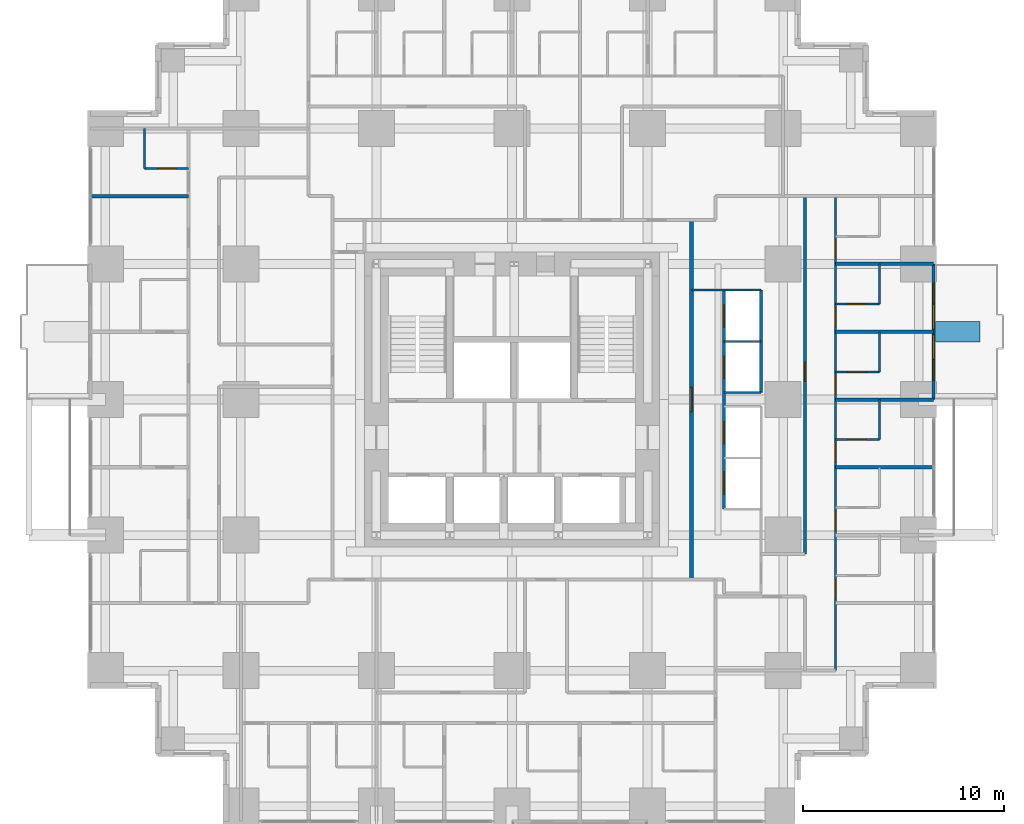
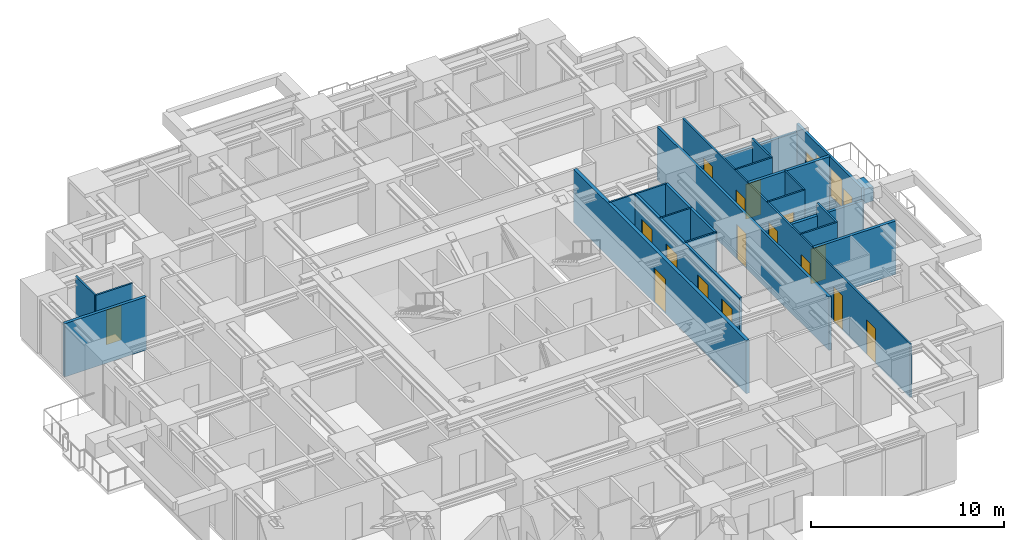
# One storey, part 11 of 14: 23 walls, 18 doors, 2 windows, 20 openings.
"""IFC4 building model written with IfcOpenShell, lengths in metres."""

import ifcopenshell
import ifcopenshell.guid

model = None  # the IFC model being written
_history = None  # IfcOwnerHistory: only IFC2X3 demands one
_inside = {}  # id of a spatial element -> (the spatial element, [elements in it])
_under = {}  # id of a project, library or spatial element -> (it, [spatial elements below it])
_declared = {}  # id of a project -> (the project, [libraries it declares])
_typed = {}  # id of a type object -> (the type object, [elements of that type])
_made_of = {}  # id of a material, layer set ... -> (it, [elements and type objects made of it])


def new_model(schema):
    """Start an empty IFC model of exactly this schema.

    Asked for "IFC4X3", IfcOpenShell would pick the latest addendum, in which some entities
    have other attributes; the version numbers below select the first issue.
    IFC2X3 requires an IfcOwnerHistory on every rooted entity: one is made here for all.
    """
    global model, _history
    if schema == "IFC4X3":
        model = ifcopenshell.file(schema_version=(4, 3, 0, 0))
    else:
        model = ifcopenshell.file(schema=schema)
    _inside.clear()
    _under.clear()
    _declared.clear()
    _typed.clear()
    _made_of.clear()
    _history = None
    if model.schema == "IFC2X3":
        org = make("IfcOrganization", Name="unknown")
        user = make(
            "IfcPersonAndOrganization",
            ThePerson=make("IfcPerson", FamilyName="unknown"),
            TheOrganization=org,
        )
        app = make(
            "IfcApplication",
            ApplicationDeveloper=org,
            Version="unknown",
            ApplicationFullName="unknown",
            ApplicationIdentifier="unknown",
        )
        _history = make(
            "IfcOwnerHistory",
            OwningUser=user,
            OwningApplication=app,
            ChangeAction="ADDED",
            CreationDate=0,
        )
    return model


def make(cls, **values):
    """One entity of the class cls with the attributes given. An attribute that is None is left unset."""
    return model.create_entity(
        cls, **{name: value for name, value in values.items() if value is not None}
    )


def rooted(cls, **values):
    """An entity with a GlobalId (a new one), such as an element, a storey or a relation."""
    return make(cls, GlobalId=ifcopenshell.guid.new(), OwnerHistory=_history, **values)


def si_unit(unit_type, name, prefix=None):
    """IfcSIUnit, for example si_unit("LENGTHUNIT", "METRE", prefix="MILLI")."""
    return make("IfcSIUnit", UnitType=unit_type, Prefix=prefix, Name=name)


def assignment(units):
    """IfcUnitAssignment: the units of a project."""
    return None if units is None else make("IfcUnitAssignment", Units=units)


def point(xyz):
    """IfcCartesianPoint."""
    return None if xyz is None else make("IfcCartesianPoint", Coordinates=xyz)


def direction(xyz):
    """IfcDirection."""
    return None if xyz is None else make("IfcDirection", DirectionRatios=xyz)


def frame(location, z_axis=None, x_axis=None):
    """IfcAxis2Placement3D, a coordinate frame: its origin and axes. An axis left out is left unset."""
    return make(
        "IfcAxis2Placement3D",
        Location=point(location),
        Axis=direction(z_axis),
        RefDirection=direction(x_axis),
    )


def frame_2d(location, x_axis=None):
    """IfcAxis2Placement2D, a coordinate frame in the plane: its origin and x axis."""
    return make(
        "IfcAxis2Placement2D", Location=point(location), RefDirection=direction(x_axis)
    )


def origin():
    """The frame at (0, 0, 0) with its axes left unset."""
    return frame((0.0, 0.0, 0.0))


def place(relative_to, where):
    """IfcLocalPlacement: puts the frame where relative to a parent placement (None: the world)."""
    return make(
        "IfcLocalPlacement", PlacementRelTo=relative_to, RelativePlacement=where
    )


def context(
    kind, dimensions, precision=None, world=None, true_north=None, identifier=None
):
    """IfcGeometricRepresentationContext, for example the 3D "Model" context."""
    return make(
        "IfcGeometricRepresentationContext",
        ContextIdentifier=identifier,
        ContextType=kind,
        CoordinateSpaceDimension=dimensions,
        Precision=precision,
        WorldCoordinateSystem=world,
        TrueNorth=true_north,
    )


def subcontext(parent, identifier, kind, view, scale=None):
    """IfcGeometricRepresentationSubContext, for example "Body" below "Model"."""
    return make(
        "IfcGeometricRepresentationSubContext",
        ContextIdentifier=identifier,
        ContextType=kind,
        ParentContext=parent,
        TargetScale=scale,
        TargetView=view,
    )


def project(units=None, contexts=None):
    """IfcProject with its units and contexts."""
    return rooted(
        "IfcProject",
        Name="project",
        RepresentationContexts=contexts,
        UnitsInContext=assignment(units),
    )


def spatial(cls, under=None, at=None, **own):
    """A site, building, storey or space (cls), placed at a placement, below another one or the project."""
    s = rooted(cls, ObjectPlacement=at, **own)
    if under is not None:
        _under.setdefault(under.id(), (under, []))[1].append(s)
    return s


def profile(cls, at=None, kind="AREA", **sizes):
    """A parametric profile (cls). Its sizes go by their IFC names, for example OverallWidth=200.0."""
    return make(cls, ProfileType=kind, Position=at, **sizes)


def rectangle(**sizes):
    """IfcRectangleProfileDef."""
    return profile("IfcRectangleProfileDef", **sizes)


def extrude(swept, where, along, depth):
    """IfcExtrudedAreaSolid: the profile swept, set in the frame where, extruded along a direction by depth."""
    return make(
        "IfcExtrudedAreaSolid",
        SweptArea=swept,
        Position=where,
        ExtrudedDirection=direction(along),
        Depth=depth,
    )


def shape(context_of_items, identifier, shape_type, items):
    """IfcShapeRepresentation: the items that make up one representation, for example the "Body"."""
    return make(
        "IfcShapeRepresentation",
        ContextOfItems=context_of_items,
        RepresentationIdentifier=identifier,
        RepresentationType=shape_type,
        Items=items,
    )


def material(Name=None, Category=None):
    """IfcMaterial."""
    return make("IfcMaterial", Name=Name, Category=Category)


def layer(
    of_material, thickness, ventilated=None, Name=None, Category=None, Priority=None
):
    """IfcMaterialLayer: one layer of a wall or slab, of a material (None: an air gap)."""
    return make(
        "IfcMaterialLayer",
        Material=of_material,
        LayerThickness=thickness,
        IsVentilated=ventilated,
        Name=Name,
        Category=Category,
        Priority=Priority,
    )


def layer_set(layers, Name=None):
    """IfcMaterialLayerSet."""
    return make("IfcMaterialLayerSet", MaterialLayers=layers, LayerSetName=Name)


def made_of(thing, what):
    """Note that an element or type object is made of a material, layer set ...; save() writes the relation."""
    if what is not None:
        _made_of.setdefault(what.id(), (what, []))[1].append(thing)
    return thing


def type_object(cls, material=None, **own):
    """A type object (cls), such as IfcWallType, which elements share."""
    return made_of(rooted(cls, **own), material)


def element(
    cls,
    number,
    at=None,
    inside=None,
    cuts=None,
    type_object=None,
    material=None,
    context=None,
    identifier="Body",
    shape_type=None,
    held_by="IfcProductDefinitionShape",
    body=None,
    shapes=None,
    **own,
):
    """One element of the class cls, such as IfcWall. Its Tag is "e" and its number.

    at: its placement. inside: the storey or other place that contains it. cuts: it is an
    opening in that element (IfcRelVoidsElement). A single representation is given by context,
    identifier, shape_type and body (its items); several are given by shapes. held_by: the class
    of the entity that holds the representations. save() writes the other relations.
    """
    e = rooted(cls, Tag="e%d" % number, ObjectPlacement=at, **own)
    if body is not None:
        shapes = [shape(context, identifier, shape_type, body)]
    if shapes is not None:
        e.Representation = make(held_by, Representations=shapes)
    if inside is not None:
        _inside.setdefault(inside.id(), (inside, []))[1].append(e)
    if cuts is not None:
        rooted(
            "IfcRelVoidsElement", RelatingBuildingElement=cuts, RelatedOpeningElement=e
        )
    if type_object is not None:
        _typed.setdefault(type_object.id(), (type_object, []))[1].append(e)
    return made_of(e, material)


def fill(opening, filler):
    """IfcRelFillsElement: the door or window that sits in an opening."""
    return rooted(
        "IfcRelFillsElement",
        RelatingOpeningElement=opening,
        RelatedBuildingElement=filler,
    )


def aggregate(whole, parts):
    """IfcRelAggregates: a whole, such as a stair, and the parts it consists of."""
    return rooted("IfcRelAggregates", RelatingObject=whole, RelatedObjects=parts)


def save(model, path):
    """Write the relations noted so far, then the file.

    IfcRelAggregates (storeys below a building ...), IfcRelContainedInSpatialStructure (elements
    in a storey), IfcRelDefinesByType, IfcRelAssociatesMaterial and IfcRelDeclares: one each for
    every whole, place, type object, material and project.
    """
    for whole, parts in _under.values():
        aggregate(whole, parts)
    for where, things in _inside.values():
        rooted(
            "IfcRelContainedInSpatialStructure",
            RelatedElements=things,
            RelatingStructure=where,
        )
    for kind, things in _typed.values():
        rooted("IfcRelDefinesByType", RelatedObjects=things, RelatingType=kind)
    for what, things in _made_of.values():
        rooted("IfcRelAssociatesMaterial", RelatedObjects=things, RelatingMaterial=what)
    for by, libraries in _declared.values():
        rooted("IfcRelDeclares", RelatingContext=by, RelatedDefinitions=libraries)
    model.write(path)


model = new_model("IFC4")

# Units and contexts
model_context = context("Model", 3, precision=1e-05, world=origin(), true_north=direction((0.0, 1.0)))
body_context = subcontext(model_context, "Body", "Model", "MODEL_VIEW")
ifc_project = project(units=[si_unit("LENGTHUNIT", "METRE"), si_unit("AREAUNIT", "SQUARE_METRE"), si_unit("VOLUMEUNIT", "CUBIC_METRE"), si_unit("PLANEANGLEUNIT", "RADIAN"), si_unit("MASSUNIT", "GRAM", prefix="KILO")], contexts=[model_context])

# Site, building, storey
site_placement = place(None, origin())
site = spatial("IfcSite", under=ifc_project, at=site_placement, CompositionType="ELEMENT")
building_placement = place(site_placement, origin())
building = spatial("IfcBuilding", under=site, at=building_placement, Name="Nyansa Garden Tower", CompositionType="ELEMENT")
storey_placement = place(building_placement, frame((0.0, 0.0, 50.39990234375)))
storey = spatial("IfcBuildingStorey", under=building, at=storey_placement, Name="L13", CompositionType="ELEMENT", Elevation=50.39990234375)

# Walls
ifc_material_1 = material(Name="Dense blockwork, plastered both sides, 55 dB", Category="masonry")
ifc_layer_1 = layer(ifc_material_1, 0.175048828125)
ifc_layer_set_1 = layer_set([ifc_layer_1], Name="Acoustic party wall PW175")
wall_type_1 = type_object("IfcWallType", Name="Acoustic party wall PW175", PredefinedType="PARTITIONING", material=ifc_layer_set_1)
for number, where, z_axis, x_axis, name in (
    (1, (-0.73388671875, 30.375, 0.0), (0.0, 0.0, 1.0), (1.0, 0.0, 0.0), "Party wall"),
    (2, (36.35009765625, 16.875, 0.0), (0.0, 0.0, 1.0), (1.0, 0.0, 0.0), "Party wall"),
):
    element("IfcWall", number, at=place(storey_placement, frame(where, z_axis=z_axis, x_axis=x_axis)), inside=storey, type_object=wall_type_1, Name=name, PredefinedType="PARTITIONING", context=body_context, shape_type="SweptSolid", body=[
        extrude(rectangle(XDim=4.8837890625, YDim=0.175048828125, at=frame_2d((2.44189453125, 0.0))), origin(), (0.0, 0.0, 1.0), 3.375),
    ])
wall_1_placement = place(storey_placement, frame((36.35009765625, 20.25, 0.0), z_axis=(0.0, 0.0, 1.0), x_axis=(1.0, 0.0, 0.0)))
element("IfcWall", 3, at=wall_1_placement, inside=storey, type_object=wall_type_1, Name="Party wall", PredefinedType="PARTITIONING", context=body_context, shape_type="SweptSolid", body=[
    extrude(rectangle(XDim=4.8837890625, YDim=0.175048828125, at=frame_2d((2.44189453125, 0.0))), origin(), (0.0, 0.0, 1.0), 2.610107421875),
])
wall_2_placement = place(storey_placement, frame((36.35009765625, 23.625, 0.0), z_axis=(0.0, 0.0, 1.0), x_axis=(1.0, 0.0, 0.0)))
element("IfcWall", 4, at=wall_2_placement, inside=storey, type_object=wall_type_1, Name="Party wall", PredefinedType="PARTITIONING", context=body_context, shape_type="SweptSolid", body=[
    extrude(rectangle(XDim=4.8837890625, YDim=0.175048828125, at=frame_2d((2.44189453125, 0.0))), origin(), (0.0, 0.0, 1.0), 3.375),
])
wall_3_placement = place(storey_placement, frame((36.35009765625, 27.0, 0.0), z_axis=(0.0, 0.0, 1.0), x_axis=(1.0, 0.0, 0.0)))
element("IfcWall", 5, at=wall_3_placement, inside=storey, type_object=wall_type_1, Name="Party wall", PredefinedType="PARTITIONING", context=body_context, shape_type="SweptSolid", body=[
    extrude(rectangle(XDim=4.8837890625, YDim=0.175048828125, at=frame_2d((2.44189453125, 0.0))), origin(), (0.0, 0.0, 1.0), 2.877197265625),
])

# Wall, openings, doors, windows
ifc_material_2 = material(Name="Black aluminium framed glazed screen", Category="aluminium")
ifc_layer_2 = layer(ifc_material_2, 0.14990234375)
ifc_layer_set_2 = layer_set([ifc_layer_2], Name="Balcony screen wall BW150")
wall_type_2 = type_object("IfcWallType", Name="Balcony screen wall BW150", PredefinedType="SOLIDWALL", material=ifc_layer_set_2)
wall_4_placement = place(storey_placement, frame((41.25, 27.0, 0.0), z_axis=(0.0, 0.0, 1.0), x_axis=(0.0, -1.0, 0.0)))
wall_4 = element("IfcWall", 6, at=wall_4_placement, inside=storey, type_object=wall_type_2, Name="Glazed screen wall L13 E", PredefinedType="SOLIDWALL", context=body_context, shape_type="SweptSolid", body=[
    extrude(rectangle(XDim=6.75, YDim=0.14990234375, at=frame_2d((3.375, 0.0))), origin(), (0.0, 0.0, 1.0), 3.375),
])
opening_1_placement = place(wall_4_placement, frame((0.96240234375, 0.0, 0.0)))
opening_1 = element("IfcOpeningElement", 7, at=opening_1_placement, cuts=wall_4, Name="Opening D20", PredefinedType="OPENING", context=body_context, shape_type="SweptSolid", body=[
    extrude(rectangle(XDim=1.0, YDim=2.199951171875, at=frame_2d((0.5, 1.10009765625))), frame((0.0, 0.0849609375, 0.0), z_axis=(0.0, -1.0, 0.0), x_axis=(1.0, 0.0, 0.0)), (0.0, 0.0, 1.0), 0.169921875),
])
opening_2_placement = place(wall_4_placement, frame((2.02490234375, 0.0, 0.89990234375)))
opening_2 = element("IfcOpeningElement", 8, at=opening_2_placement, cuts=wall_4, Name="Opening W6", PredefinedType="OPENING", context=body_context, shape_type="SweptSolid", body=[
    extrude(rectangle(XDim=1.199951171875, YDim=1.800048828125, at=frame_2d((0.60009765625, 0.89990234375))), frame((0.0, 0.0849609375, 0.0), z_axis=(0.0, -1.0, 0.0), x_axis=(1.0, 0.0, 0.0)), (0.0, 0.0, 1.0), 0.169921875),
])
opening_3_placement = place(wall_4_placement, frame((4.78759765625, 0.0, 0.0)))
opening_3 = element("IfcOpeningElement", 9, at=opening_3_placement, cuts=wall_4, Name="Opening D20", PredefinedType="OPENING", context=body_context, shape_type="SweptSolid", body=[
    extrude(rectangle(XDim=1.0, YDim=2.199951171875, at=frame_2d((0.5, 1.10009765625))), frame((0.0, 0.0849609375, 0.0), z_axis=(0.0, -1.0, 0.0), x_axis=(1.0, 0.0, 0.0)), (0.0, 0.0, 1.0), 0.169921875),
])
opening_4_placement = place(wall_4_placement, frame((3.52490234375, 0.0, 0.89990234375)))
opening_4 = element("IfcOpeningElement", 10, at=opening_4_placement, cuts=wall_4, Name="Opening W6", PredefinedType="OPENING", context=body_context, shape_type="SweptSolid", body=[
    extrude(rectangle(XDim=1.199951171875, YDim=1.800048828125, at=frame_2d((0.60009765625, 0.89990234375))), frame((0.0, 0.0849609375, 0.0), z_axis=(0.0, -1.0, 0.0), x_axis=(1.0, 0.0, 0.0)), (0.0, 0.0, 1.0), 0.169921875),
])
ifc_material_3 = material(Name="Black aluminium framed glazed door", Category="aluminium")
door_type_1 = type_object("IfcDoorType", Name="Balcony door D20 1000x2200", OperationType="NOTDEFINED", PredefinedType="DOOR", material=ifc_material_3)
door_1_placement = place(opening_1_placement, origin())
door_1 = element("IfcDoor", 11, at=door_1_placement, inside=storey, type_object=door_type_1, Name="Balcony door L13", OperationType="SINGLE_SWING_LEFT", OverallHeight=2.199951171875, OverallWidth=1.0, PredefinedType="DOOR", context=body_context, shape_type="SweptSolid", body=[
    extrude(rectangle(XDim=1.0, YDim=2.199951171875, at=frame_2d((0.5, 1.10009765625))), frame((0.0, 0.02490234375, 0.0), z_axis=(0.0, -1.0, 0.0), x_axis=(1.0, 0.0, 0.0)), (0.0, 0.0, 1.0), 0.050048828125),
])
fill(opening_1, door_1)
door_2_placement = place(opening_3_placement, origin())
door_2 = element("IfcDoor", 12, at=door_2_placement, inside=storey, type_object=door_type_1, Name="Balcony door L13", OperationType="SINGLE_SWING_RIGHT", OverallHeight=2.199951171875, OverallWidth=1.0, PredefinedType="DOOR", context=body_context, shape_type="SweptSolid", body=[
    extrude(rectangle(XDim=1.0, YDim=2.199951171875, at=frame_2d((0.5, 1.10009765625))), frame((0.0, 0.02490234375, 0.0), z_axis=(0.0, -1.0, 0.0), x_axis=(1.0, 0.0, 0.0)), (0.0, 0.0, 1.0), 0.050048828125),
])
fill(opening_3, door_2)
ifc_material_4 = material(Name="Black aluminium frame, dark tinted double glazing", Category="aluminium")
window_type = type_object("IfcWindowType", Name="Balcony window W6 1200x1800", PartitioningType="SINGLE_PANEL", PredefinedType="WINDOW", material=ifc_material_4)
window_1_placement = place(opening_2_placement, origin())
window_1 = element("IfcWindow", 13, at=window_1_placement, inside=storey, type_object=window_type, Name="Window L13", OverallHeight=1.800048828125, OverallWidth=1.199951171875, PartitioningType="SINGLE_PANEL", PredefinedType="WINDOW", context=body_context, shape_type="SweptSolid", body=[
    extrude(rectangle(XDim=1.199951171875, YDim=1.800048828125, at=frame_2d((0.60009765625, 0.89990234375))), frame((0.0, 0.030029296875, 0.0), z_axis=(0.0, -1.0, 0.0), x_axis=(1.0, 0.0, 0.0)), (0.0, 0.0, 1.0), 0.06005859375),
])
fill(opening_2, window_1)
window_2_placement = place(opening_4_placement, origin())
window_2 = element("IfcWindow", 14, at=window_2_placement, inside=storey, type_object=window_type, Name="Window L13", OverallHeight=1.800048828125, OverallWidth=1.199951171875, PartitioningType="SINGLE_PANEL", PredefinedType="WINDOW", context=body_context, shape_type="SweptSolid", body=[
    extrude(rectangle(XDim=1.199951171875, YDim=1.800048828125, at=frame_2d((0.60009765625, 0.89990234375))), frame((0.0, 0.030029296875, 0.0), z_axis=(0.0, -1.0, 0.0), x_axis=(1.0, 0.0, 0.0)), (0.0, 0.0, 1.0), 0.06005859375),
])
fill(opening_4, window_2)

# Wall, opening, door
ifc_material_5 = material(Name="Concrete blockwork, plastered, 60 minute fire resisting", Category="masonry")
ifc_layer_3 = layer(ifc_material_5, 0.199951171875)
ifc_layer_set_3 = layer_set([ifc_layer_3], Name="Corridor wall FW200")
wall_type_3 = type_object("IfcWallType", Name="Corridor wall FW200", PredefinedType="PARTITIONING", material=ifc_layer_set_3)
wall_5_placement = place(storey_placement, frame((29.199951171875, 11.300048828125, 0.0), z_axis=(0.0, 0.0, 1.0), x_axis=(0.0, 1.0, 0.0)))
wall_5 = element("IfcWall", 15, at=wall_5_placement, inside=storey, type_object=wall_type_3, Name="Corridor wall", PredefinedType="PARTITIONING", context=body_context, shape_type="SweptSolid", body=[
    extrude(rectangle(XDim=17.89990234375, YDim=0.199951171875, at=frame_2d((8.949951171875, 0.0))), origin(), (0.0, 0.0, 1.0), 3.375),
])
opening_5_placement = place(wall_5_placement, frame((8.35009765625, 0.0, 0.0)))
opening_5 = element("IfcOpeningElement", 16, at=opening_5_placement, cuts=wall_5, Name="Opening D06", PredefinedType="OPENING", context=body_context, shape_type="SweptSolid", body=[
    extrude(rectangle(XDim=1.199951171875, YDim=2.199951171875, at=frame_2d((0.60009765625, 1.10009765625))), frame((0.0, 0.10986328125, 0.0), z_axis=(0.0, -1.0, 0.0), x_axis=(1.0, 0.0, 0.0)), (0.0, 0.0, 1.0), 0.219970703125),
])
ifc_material_6 = material(Name="Steel door, 120 minute fire resisting", Category="steel")
door_type_2 = type_object("IfcDoorType", Name="Lobby door D06 1200x2200", OperationType="DOUBLE_DOOR_SINGLE_SWING", PredefinedType="DOOR", material=ifc_material_6)
door_3_placement = place(opening_5_placement, origin())
door_3 = element("IfcDoor", 17, at=door_3_placement, inside=storey, type_object=door_type_2, Name="Low-rise lift lobby door", OperationType="DOUBLE_DOOR_SINGLE_SWING", OverallHeight=2.199951171875, OverallWidth=1.199951171875, PredefinedType="DOOR", context=body_context, shape_type="SweptSolid", body=[
    extrude(rectangle(XDim=1.199951171875, YDim=2.199951171875, at=frame_2d((0.60009765625, 1.10009765625))), frame((0.0, 0.02490234375, 0.0), z_axis=(0.0, -1.0, 0.0), x_axis=(1.0, 0.0, 0.0)), (0.0, 0.0, 1.0), 0.050048828125),
])
fill(opening_5, door_3)

# Walls
ifc_material_7 = material(Name="Steel-stud shaft wall, two layers fire-rated board, EI 120", Category="steel")
ifc_layer_4 = layer(ifc_material_7, 0.10009765625)
ifc_layer_set_4 = layer_set([ifc_layer_4], Name="Lift shaft wall SW100")
wall_type_4 = type_object("IfcWallType", Name="Lift shaft wall SW100", PredefinedType="SHEAR", material=ifc_layer_set_4)
wall_6_placement = place(storey_placement, frame((29.199951171875, 25.699951171875, 0.0), z_axis=(0.0, 0.0, 1.0), x_axis=(1.0, 0.0, 0.0)))
element("IfcWall", 18, at=wall_6_placement, inside=storey, type_object=wall_type_4, Name="Lift shaft wall", PredefinedType="SHEAR", context=body_context, shape_type="SweptSolid", body=[
    extrude(rectangle(XDim=3.449951171875, YDim=0.10009765625, at=frame_2d((1.72509765625, 0.0))), origin(), (0.0, 0.0, 1.0), 3.375),
])
for number, where, z_axis, x_axis, name in (
    (19, (30.800048828125, 20.60009765625, 0.0), (0.0, 0.0, 1.0), (1.0, 0.0, 0.0), "Lift shaft wall"),
    (20, (30.800048828125, 23.14990234375, 0.0), (0.0, 0.0, 1.0), (1.0, 0.0, 0.0), "Lift shaft wall"),
):
    element("IfcWall", number, at=place(storey_placement, frame(where, z_axis=z_axis, x_axis=x_axis)), inside=storey, type_object=wall_type_4, Name=name, PredefinedType="SHEAR", context=body_context, shape_type="SweptSolid", body=[
        extrude(rectangle(XDim=1.849853515625, YDim=0.10009765625, at=frame_2d((0.9248046875, 0.0))), origin(), (0.0, 0.0, 1.0), 3.375),
    ])

# Wall, openings, doors
ifc_material_8 = material(Name="Blockwork, plastered both sides", Category="masonry")
ifc_layer_5 = layer(ifc_material_8, 0.14990234375)
ifc_layer_set_5 = layer_set([ifc_layer_5], Name="Partition PW150")
wall_type_5 = type_object("IfcWallType", Name="Partition PW150", PredefinedType="PARTITIONING", material=ifc_layer_set_5)
wall_7_placement = place(storey_placement, frame((30.800048828125, 14.800048828125, 0.0), z_axis=(0.0, 0.0, 1.0), x_axis=(0.0, 1.0, 0.0)))
wall_7 = element("IfcWall", 21, at=wall_7_placement, inside=storey, type_object=wall_type_5, Name="Partition", PredefinedType="PARTITIONING", context=body_context, shape_type="SweptSolid", body=[
    extrude(rectangle(XDim=10.89990234375, YDim=0.14990234375, at=frame_2d((5.449951171875, 0.0))), origin(), (0.0, 0.0, 1.0), 3.375),
])
opening_6_placement = place(wall_7_placement, frame((0.75, 0.0, 0.0)))
opening_6 = element("IfcOpeningElement", 22, at=opening_6_placement, cuts=wall_7, Name="Opening LD-A", PredefinedType="OPENING", context=body_context, shape_type="SweptSolid", body=[
    extrude(rectangle(XDim=1.10009765625, YDim=2.199951171875, at=frame_2d((0.550048828125, 1.10009765625))), frame((0.0, 0.0849609375, 0.0), z_axis=(0.0, -1.0, 0.0), x_axis=(1.0, 0.0, 0.0)), (0.0, 0.0, 1.0), 0.169921875),
])
opening_7_placement = place(wall_7_placement, frame((3.25, 0.0, 0.0)))
opening_7 = element("IfcOpeningElement", 23, at=opening_7_placement, cuts=wall_7, Name="Opening LD-A", PredefinedType="OPENING", context=body_context, shape_type="SweptSolid", body=[
    extrude(rectangle(XDim=1.10009765625, YDim=2.199951171875, at=frame_2d((0.550048828125, 1.10009765625))), frame((0.0, 0.0849609375, 0.0), z_axis=(0.0, -1.0, 0.0), x_axis=(1.0, 0.0, 0.0)), (0.0, 0.0, 1.0), 0.169921875),
])
opening_8_placement = place(wall_7_placement, frame((6.5, 0.0, 0.0)))
opening_8 = element("IfcOpeningElement", 24, at=opening_8_placement, cuts=wall_7, Name="Opening LD-A", PredefinedType="OPENING", context=body_context, shape_type="SweptSolid", body=[
    extrude(rectangle(XDim=1.10009765625, YDim=2.199951171875, at=frame_2d((0.550048828125, 1.10009765625))), frame((0.0, 0.0849609375, 0.0), z_axis=(0.0, -1.0, 0.0), x_axis=(1.0, 0.0, 0.0)), (0.0, 0.0, 1.0), 0.169921875),
])
opening_9_placement = place(wall_7_placement, frame((9.050048828125, 0.0, 0.0)))
opening_9 = element("IfcOpeningElement", 25, at=opening_9_placement, cuts=wall_7, Name="Opening LD-A", PredefinedType="OPENING", context=body_context, shape_type="SweptSolid", body=[
    extrude(rectangle(XDim=1.10009765625, YDim=2.199951171875, at=frame_2d((0.550048828125, 1.10009765625))), frame((0.0, 0.0849609375, 0.0), z_axis=(0.0, -1.0, 0.0), x_axis=(1.0, 0.0, 0.0)), (0.0, 0.0, 1.0), 0.169921875),
])
ifc_material_9 = material(Name="Stainless steel centre-opening landing door of the low-rise lift, E 120", Category="steel")
door_type_3 = type_object("IfcDoorType", Name="Lift landing door LD-A 1100x2200", OperationType="DOUBLE_DOOR_SLIDING", PredefinedType="DOOR", material=ifc_material_9)
door_4_placement = place(opening_6_placement, origin())
door_4 = element("IfcDoor", 26, at=door_4_placement, inside=storey, type_object=door_type_3, Name="Landing door A1", OperationType="DOUBLE_DOOR_SLIDING", OverallHeight=2.199951171875, OverallWidth=1.10009765625, PredefinedType="DOOR", context=body_context, shape_type="SweptSolid", body=[
    extrude(rectangle(XDim=1.10009765625, YDim=2.199951171875, at=frame_2d((0.550048828125, 1.10009765625))), frame((0.0, 0.02490234375, 0.0), z_axis=(0.0, -1.0, 0.0), x_axis=(1.0, 0.0, 0.0)), (0.0, 0.0, 1.0), 0.050048828125),
])
fill(opening_6, door_4)
door_5_placement = place(opening_7_placement, origin())
door_5 = element("IfcDoor", 27, at=door_5_placement, inside=storey, type_object=door_type_3, Name="Landing door A2", OperationType="DOUBLE_DOOR_SLIDING", OverallHeight=2.199951171875, OverallWidth=1.10009765625, PredefinedType="DOOR", context=body_context, shape_type="SweptSolid", body=[
    extrude(rectangle(XDim=1.10009765625, YDim=2.199951171875, at=frame_2d((0.550048828125, 1.10009765625))), frame((0.0, 0.02490234375, 0.0), z_axis=(0.0, -1.0, 0.0), x_axis=(1.0, 0.0, 0.0)), (0.0, 0.0, 1.0), 0.050048828125),
])
fill(opening_7, door_5)
door_6_placement = place(opening_8_placement, origin())
door_6 = element("IfcDoor", 28, at=door_6_placement, inside=storey, type_object=door_type_3, Name="Landing door A3", OperationType="DOUBLE_DOOR_SLIDING", OverallHeight=2.199951171875, OverallWidth=1.10009765625, PredefinedType="DOOR", context=body_context, shape_type="SweptSolid", body=[
    extrude(rectangle(XDim=1.10009765625, YDim=2.199951171875, at=frame_2d((0.550048828125, 1.10009765625))), frame((0.0, 0.02490234375, 0.0), z_axis=(0.0, -1.0, 0.0), x_axis=(1.0, 0.0, 0.0)), (0.0, 0.0, 1.0), 0.050048828125),
])
fill(opening_8, door_6)
door_7_placement = place(opening_9_placement, origin())
door_7 = element("IfcDoor", 29, at=door_7_placement, inside=storey, type_object=door_type_3, Name="Landing door A4", OperationType="DOUBLE_DOOR_SLIDING", OverallHeight=2.199951171875, OverallWidth=1.10009765625, PredefinedType="DOOR", context=body_context, shape_type="SweptSolid", body=[
    extrude(rectangle(XDim=1.10009765625, YDim=2.199951171875, at=frame_2d((0.550048828125, 1.10009765625))), frame((0.0, 0.02490234375, 0.0), z_axis=(0.0, -1.0, 0.0), x_axis=(1.0, 0.0, 0.0)), (0.0, 0.0, 1.0), 0.050048828125),
])
fill(opening_9, door_7)

# Wall
wall_8_placement = place(storey_placement, frame((32.64990234375, 20.60009765625, 0.0), z_axis=(0.0, 0.0, 1.0), x_axis=(0.0, 1.0, 0.0)))
element("IfcWall", 30, at=wall_8_placement, inside=storey, type_object=wall_type_5, Name="Partition", PredefinedType="PARTITIONING", context=body_context, shape_type="SweptSolid", body=[
    extrude(rectangle(XDim=5.099853515625, YDim=0.14990234375, at=frame_2d((2.5498046875, 0.0))), origin(), (0.0, 0.0, 1.0), 3.375),
])

# Wall, opening, door
wall_9_placement = place(storey_placement, frame((34.85009765625, 12.550048828125, 0.0), z_axis=(0.0, 0.0, 1.0), x_axis=(0.0, 1.0, 0.0)))
wall_9 = element("IfcWall", 31, at=wall_9_placement, inside=storey, type_object=wall_type_5, Name="Partition", PredefinedType="PARTITIONING", context=body_context, shape_type="SweptSolid", body=[
    extrude(rectangle(XDim=17.824951171875, YDim=0.14990234375, at=frame_2d((8.91259765625, 0.0))), origin(), (0.0, 0.0, 1.0), 3.375),
])
opening_10_placement = place(wall_9_placement, frame((8.60009765625, 0.0, 0.0)))
opening_10 = element("IfcOpeningElement", 32, at=opening_10_placement, cuts=wall_9, Name="Opening D01", PredefinedType="OPENING", context=body_context, shape_type="SweptSolid", body=[
    extrude(rectangle(XDim=0.949951171875, YDim=2.199951171875, at=frame_2d((0.47509765625, 1.10009765625))), frame((0.0, 0.0849609375, 0.0), z_axis=(0.0, -1.0, 0.0), x_axis=(1.0, 0.0, 0.0)), (0.0, 0.0, 1.0), 0.169921875),
])
ifc_material_10 = material(Name="Timber flush door, 30 minute fire resisting", Category="wood")
door_type_4 = type_object("IfcDoorType", Name="Bedroom door D01 950x2200", OperationType="SINGLE_SWING_LEFT", PredefinedType="DOOR", material=ifc_material_10)
door_8_placement = place(opening_10_placement, origin())
door_8 = element("IfcDoor", 33, at=door_8_placement, inside=storey, type_object=door_type_4, Name="Door L13-047", OperationType="SINGLE_SWING_LEFT", OverallHeight=2.199951171875, OverallWidth=0.949951171875, PredefinedType="DOOR", context=body_context, shape_type="SweptSolid", body=[
    extrude(rectangle(XDim=0.949951171875, YDim=2.199951171875, at=frame_2d((0.47509765625, 1.10009765625))), frame((0.0, 0.02490234375, 0.0), z_axis=(0.0, -1.0, 0.0), x_axis=(1.0, 0.0, 0.0)), (0.0, 0.0, 1.0), 0.050048828125),
])
fill(opening_10, door_8)

# Walls
ifc_material_11 = material(Name="Concrete C40/50 planter, waterproofed", Category="concrete")
ifc_layer_6 = layer(ifc_material_11, 1.0)
ifc_layer_set_6 = layer_set([ifc_layer_6], Name="Tree planter TP1")
wall_type_6 = type_object("IfcWallType", Name="Tree planter TP1", PredefinedType="USERDEFINED", material=ifc_layer_set_6)
wall_10_placement = place(storey_placement, frame((41.35009765625, 23.625, 0.0), z_axis=(0.0, 0.0, 1.0), x_axis=(1.0, 0.0, 0.0)))
element("IfcWall", 34, at=wall_10_placement, inside=storey, type_object=wall_type_6, Name="Tree planter L13", ObjectType="TREE PLANTER", PredefinedType="USERDEFINED", context=body_context, shape_type="SweptSolid", body=[
    extrude(rectangle(XDim=2.199951171875, YDim=1.0, at=frame_2d((1.10009765625, 0.0))), origin(), (0.0, 0.0, 1.0), 0.900146484375),
])
ifc_material_12 = material(Name="Moisture resistant board on steel studs, tiled", Category="steel")
ifc_layer_7 = layer(ifc_material_12, 0.10009765625)
ifc_layer_set_7 = layer_set([ifc_layer_7], Name="Wet wall PW100")
wall_type_7 = type_object("IfcWallType", Name="Wet wall PW100", PredefinedType="PARTITIONING", material=ifc_layer_set_7)
wall_11_placement = place(storey_placement, frame((1.949951171875, 31.75, 0.0), z_axis=(0.0, 0.0, 1.0), x_axis=(0.0, 1.0, 0.0)))
element("IfcWall", 35, at=wall_11_placement, inside=storey, type_object=wall_type_7, Name="Wet wall", PredefinedType="PARTITIONING", context=body_context, shape_type="SweptSolid", body=[
    extrude(rectangle(XDim=2.0, YDim=0.10009765625, at=frame_2d((1.0, 0.0))), origin(), (0.0, 0.0, 1.0), 3.375),
])

# Wall, opening, door
wall_12_placement = place(storey_placement, frame((1.949951171875, 31.75, 0.0), z_axis=(0.0, 0.0, 1.0), x_axis=(1.0, 0.0, 0.0)))
wall_12 = element("IfcWall", 36, at=wall_12_placement, inside=storey, type_object=wall_type_7, Name="Wet wall", PredefinedType="PARTITIONING", context=body_context, shape_type="SweptSolid", body=[
    extrude(rectangle(XDim=2.199951171875, YDim=0.10009765625, at=frame_2d((1.10009765625, 0.0))), origin(), (0.0, 0.0, 1.0), 3.375),
])
opening_11_placement = place(wall_12_placement, frame((0.64990234375, 0.0, 0.0)))
opening_11 = element("IfcOpeningElement", 37, at=opening_11_placement, cuts=wall_12, Name="Opening D02", PredefinedType="OPENING", context=body_context, shape_type="SweptSolid", body=[
    extrude(rectangle(XDim=0.89990234375, YDim=2.199951171875, at=frame_2d((0.449951171875, 1.10009765625))), frame((0.0, 0.06005859375, 0.0), z_axis=(0.0, -1.0, 0.0), x_axis=(1.0, 0.0, 0.0)), (0.0, 0.0, 1.0), 0.1201171875),
])
ifc_material_13 = material(Name="Timber flush door", Category="wood")
door_type_5 = type_object("IfcDoorType", Name="En-suite door D02 900x2200", OperationType="SINGLE_SWING_RIGHT", PredefinedType="DOOR", material=ifc_material_13)
door_9_placement = place(opening_11_placement, origin())
door_9 = element("IfcDoor", 38, at=door_9_placement, inside=storey, type_object=door_type_5, Name="Door L13-074", OperationType="SINGLE_SWING_RIGHT", OverallHeight=2.199951171875, OverallWidth=0.89990234375, PredefinedType="DOOR", context=body_context, shape_type="SweptSolid", body=[
    extrude(rectangle(XDim=0.89990234375, YDim=2.199951171875, at=frame_2d((0.449951171875, 1.10009765625))), frame((0.0, 0.02490234375, 0.0), z_axis=(0.0, -1.0, 0.0), x_axis=(1.0, 0.0, 0.0)), (0.0, 0.0, 1.0), 0.050048828125),
])
fill(opening_11, door_9)

# Wall, openings, doors
wall_13_placement = place(storey_placement, frame((36.35009765625, 6.75, 0.0), z_axis=(0.0, 0.0, 1.0), x_axis=(0.0, 1.0, 0.0)))
wall_13 = element("IfcWall", 39, at=wall_13_placement, inside=storey, type_object=wall_type_7, Name="Wet wall", PredefinedType="PARTITIONING", context=body_context, shape_type="SweptSolid", body=[
    extrude(rectangle(XDim=23.625, YDim=0.10009765625, at=frame_2d((11.8125, 0.0))), origin(), (0.0, 0.0, 1.0), 3.375),
])
opening_12_placement = place(wall_13_placement, frame((3.574951171875, 0.0, 0.0)))
opening_12 = element("IfcOpeningElement", 40, at=opening_12_placement, cuts=wall_13, Name="Opening D14", PredefinedType="OPENING", context=body_context, shape_type="SweptSolid", body=[
    extrude(rectangle(XDim=0.949951171875, YDim=2.199951171875, at=frame_2d((0.47509765625, 1.10009765625))), frame((0.0, 0.06005859375, 0.0), z_axis=(0.0, -1.0, 0.0), x_axis=(1.0, 0.0, 0.0)), (0.0, 0.0, 1.0), 0.1201171875),
])
opening_13_placement = place(wall_13_placement, frame((7.0, 0.0, 0.0)))
opening_13 = element("IfcOpeningElement", 41, at=opening_13_placement, cuts=wall_13, Name="Opening D14", PredefinedType="OPENING", context=body_context, shape_type="SweptSolid", body=[
    extrude(rectangle(XDim=0.949951171875, YDim=2.199951171875, at=frame_2d((0.47509765625, 1.10009765625))), frame((0.0, 0.06005859375, 0.0), z_axis=(0.0, -1.0, 0.0), x_axis=(1.0, 0.0, 0.0)), (0.0, 0.0, 1.0), 0.1201171875),
])
opening_14_placement = place(wall_13_placement, frame((10.375, 0.0, 0.0)))
opening_14 = element("IfcOpeningElement", 42, at=opening_14_placement, cuts=wall_13, Name="Opening D14", PredefinedType="OPENING", context=body_context, shape_type="SweptSolid", body=[
    extrude(rectangle(XDim=0.949951171875, YDim=2.199951171875, at=frame_2d((0.47509765625, 1.10009765625))), frame((0.0, 0.06005859375, 0.0), z_axis=(0.0, -1.0, 0.0), x_axis=(1.0, 0.0, 0.0)), (0.0, 0.0, 1.0), 0.1201171875),
])
opening_15_placement = place(wall_13_placement, frame((13.75, 0.0, 0.0)))
opening_15 = element("IfcOpeningElement", 43, at=opening_15_placement, cuts=wall_13, Name="Opening D14", PredefinedType="OPENING", context=body_context, shape_type="SweptSolid", body=[
    extrude(rectangle(XDim=0.949951171875, YDim=2.199951171875, at=frame_2d((0.47509765625, 1.10009765625))), frame((0.0, 0.06005859375, 0.0), z_axis=(0.0, -1.0, 0.0), x_axis=(1.0, 0.0, 0.0)), (0.0, 0.0, 1.0), 0.1201171875),
])
opening_16_placement = place(wall_13_placement, frame((17.125, 0.0, 0.0)))
opening_16 = element("IfcOpeningElement", 44, at=opening_16_placement, cuts=wall_13, Name="Opening D14", PredefinedType="OPENING", context=body_context, shape_type="SweptSolid", body=[
    extrude(rectangle(XDim=0.949951171875, YDim=2.199951171875, at=frame_2d((0.47509765625, 1.10009765625))), frame((0.0, 0.06005859375, 0.0), z_axis=(0.0, -1.0, 0.0), x_axis=(1.0, 0.0, 0.0)), (0.0, 0.0, 1.0), 0.1201171875),
])
opening_17_placement = place(wall_13_placement, frame((20.5, 0.0, 0.0)))
opening_17 = element("IfcOpeningElement", 45, at=opening_17_placement, cuts=wall_13, Name="Opening D14", PredefinedType="OPENING", context=body_context, shape_type="SweptSolid", body=[
    extrude(rectangle(XDim=0.949951171875, YDim=2.199951171875, at=frame_2d((0.47509765625, 1.10009765625))), frame((0.0, 0.06005859375, 0.0), z_axis=(0.0, -1.0, 0.0), x_axis=(1.0, 0.0, 0.0)), (0.0, 0.0, 1.0), 0.1201171875),
])
ifc_material_14 = material(Name="Timber flush door, 60 minute fire resisting, self-closing", Category="wood")
door_type_6 = type_object("IfcDoorType", Name="Studio entrance door D14 950x2200", OperationType="SINGLE_SWING_LEFT", PredefinedType="DOOR", material=ifc_material_14)
door_10_placement = place(opening_12_placement, origin())
door_10 = element("IfcDoor", 46, at=door_10_placement, inside=storey, type_object=door_type_6, Name="Door L13-034", OperationType="SINGLE_SWING_LEFT", OverallHeight=2.199951171875, OverallWidth=0.949951171875, PredefinedType="DOOR", context=body_context, shape_type="SweptSolid", body=[
    extrude(rectangle(XDim=0.949951171875, YDim=2.199951171875, at=frame_2d((0.47509765625, 1.10009765625))), frame((0.0, 0.02490234375, 0.0), z_axis=(0.0, -1.0, 0.0), x_axis=(1.0, 0.0, 0.0)), (0.0, 0.0, 1.0), 0.050048828125),
])
fill(opening_12, door_10)
door_11_placement = place(opening_13_placement, origin())
door_11 = element("IfcDoor", 47, at=door_11_placement, inside=storey, type_object=door_type_6, Name="Door L13-036", OperationType="SINGLE_SWING_LEFT", OverallHeight=2.199951171875, OverallWidth=0.949951171875, PredefinedType="DOOR", context=body_context, shape_type="SweptSolid", body=[
    extrude(rectangle(XDim=0.949951171875, YDim=2.199951171875, at=frame_2d((0.47509765625, 1.10009765625))), frame((0.0, 0.02490234375, 0.0), z_axis=(0.0, -1.0, 0.0), x_axis=(1.0, 0.0, 0.0)), (0.0, 0.0, 1.0), 0.050048828125),
])
fill(opening_13, door_11)
door_12_placement = place(opening_14_placement, origin())
door_12 = element("IfcDoor", 48, at=door_12_placement, inside=storey, type_object=door_type_6, Name="Door L13-038", OperationType="SINGLE_SWING_LEFT", OverallHeight=2.199951171875, OverallWidth=0.949951171875, PredefinedType="DOOR", context=body_context, shape_type="SweptSolid", body=[
    extrude(rectangle(XDim=0.949951171875, YDim=2.199951171875, at=frame_2d((0.47509765625, 1.10009765625))), frame((0.0, 0.02490234375, 0.0), z_axis=(0.0, -1.0, 0.0), x_axis=(1.0, 0.0, 0.0)), (0.0, 0.0, 1.0), 0.050048828125),
])
fill(opening_14, door_12)
door_13_placement = place(opening_15_placement, origin())
door_13 = element("IfcDoor", 49, at=door_13_placement, inside=storey, type_object=door_type_6, Name="Door L13-040", OperationType="SINGLE_SWING_LEFT", OverallHeight=2.199951171875, OverallWidth=0.949951171875, PredefinedType="DOOR", context=body_context, shape_type="SweptSolid", body=[
    extrude(rectangle(XDim=0.949951171875, YDim=2.199951171875, at=frame_2d((0.47509765625, 1.10009765625))), frame((0.0, 0.02490234375, 0.0), z_axis=(0.0, -1.0, 0.0), x_axis=(1.0, 0.0, 0.0)), (0.0, 0.0, 1.0), 0.050048828125),
])
fill(opening_15, door_13)
door_14_placement = place(opening_16_placement, origin())
door_14 = element("IfcDoor", 50, at=door_14_placement, inside=storey, type_object=door_type_6, Name="Door L13-042", OperationType="SINGLE_SWING_LEFT", OverallHeight=2.199951171875, OverallWidth=0.949951171875, PredefinedType="DOOR", context=body_context, shape_type="SweptSolid", body=[
    extrude(rectangle(XDim=0.949951171875, YDim=2.199951171875, at=frame_2d((0.47509765625, 1.10009765625))), frame((0.0, 0.02490234375, 0.0), z_axis=(0.0, -1.0, 0.0), x_axis=(1.0, 0.0, 0.0)), (0.0, 0.0, 1.0), 0.050048828125),
])
fill(opening_16, door_14)
door_15_placement = place(opening_17_placement, origin())
door_15 = element("IfcDoor", 51, at=door_15_placement, inside=storey, type_object=door_type_6, Name="Door L13-044", OperationType="SINGLE_SWING_LEFT", OverallHeight=2.199951171875, OverallWidth=0.949951171875, PredefinedType="DOOR", context=body_context, shape_type="SweptSolid", body=[
    extrude(rectangle(XDim=0.949951171875, YDim=2.199951171875, at=frame_2d((0.47509765625, 1.10009765625))), frame((0.0, 0.02490234375, 0.0), z_axis=(0.0, -1.0, 0.0), x_axis=(1.0, 0.0, 0.0)), (0.0, 0.0, 1.0), 0.050048828125),
])
fill(opening_17, door_15)

# Wall, opening, door
wall_14_placement = place(storey_placement, frame((36.35009765625, 18.25, 0.0), z_axis=(0.0, 0.0, 1.0), x_axis=(1.0, 0.0, 0.0)))
wall_14 = element("IfcWall", 52, at=wall_14_placement, inside=storey, type_object=wall_type_7, Name="Wet wall", PredefinedType="PARTITIONING", context=body_context, shape_type="SweptSolid", body=[
    extrude(rectangle(XDim=2.199951171875, YDim=0.10009765625, at=frame_2d((1.10009765625, 0.0))), origin(), (0.0, 0.0, 1.0), 3.375),
])
opening_18_placement = place(wall_14_placement, frame((0.64990234375, 0.0, 0.0)))
opening_18 = element("IfcOpeningElement", 53, at=opening_18_placement, cuts=wall_14, Name="Opening D02", PredefinedType="OPENING", context=body_context, shape_type="SweptSolid", body=[
    extrude(rectangle(XDim=0.89990234375, YDim=2.199951171875, at=frame_2d((0.449951171875, 1.10009765625))), frame((0.0, 0.06005859375, 0.0), z_axis=(0.0, -1.0, 0.0), x_axis=(1.0, 0.0, 0.0)), (0.0, 0.0, 1.0), 0.1201171875),
])
door_16_placement = place(opening_18_placement, origin())
door_16 = element("IfcDoor", 54, at=door_16_placement, inside=storey, type_object=door_type_5, Name="Door L13-039", OperationType="SINGLE_SWING_RIGHT", OverallHeight=2.199951171875, OverallWidth=0.89990234375, PredefinedType="DOOR", context=body_context, shape_type="SweptSolid", body=[
    extrude(rectangle(XDim=0.89990234375, YDim=2.199951171875, at=frame_2d((0.449951171875, 1.10009765625))), frame((0.0, 0.02490234375, 0.0), z_axis=(0.0, -1.0, 0.0), x_axis=(1.0, 0.0, 0.0)), (0.0, 0.0, 1.0), 0.050048828125),
])
fill(opening_18, door_16)

wall_15_placement = place(storey_placement, frame((36.35009765625, 21.625, 0.0), z_axis=(0.0, 0.0, 1.0), x_axis=(1.0, 0.0, 0.0)))
wall_15 = element("IfcWall", 55, at=wall_15_placement, inside=storey, type_object=wall_type_7, Name="Wet wall", PredefinedType="PARTITIONING", context=body_context, shape_type="SweptSolid", body=[
    extrude(rectangle(XDim=2.199951171875, YDim=0.10009765625, at=frame_2d((1.10009765625, 0.0))), origin(), (0.0, 0.0, 1.0), 3.375),
])
opening_19_placement = place(wall_15_placement, frame((0.64990234375, 0.0, 0.0)))
opening_19 = element("IfcOpeningElement", 56, at=opening_19_placement, cuts=wall_15, Name="Opening D02", PredefinedType="OPENING", context=body_context, shape_type="SweptSolid", body=[
    extrude(rectangle(XDim=0.89990234375, YDim=2.199951171875, at=frame_2d((0.449951171875, 1.10009765625))), frame((0.0, 0.06005859375, 0.0), z_axis=(0.0, -1.0, 0.0), x_axis=(1.0, 0.0, 0.0)), (0.0, 0.0, 1.0), 0.1201171875),
])
door_17_placement = place(opening_19_placement, origin())
door_17 = element("IfcDoor", 57, at=door_17_placement, inside=storey, type_object=door_type_5, Name="Door L13-041", OperationType="SINGLE_SWING_RIGHT", OverallHeight=2.199951171875, OverallWidth=0.89990234375, PredefinedType="DOOR", context=body_context, shape_type="SweptSolid", body=[
    extrude(rectangle(XDim=0.89990234375, YDim=2.199951171875, at=frame_2d((0.449951171875, 1.10009765625))), frame((0.0, 0.02490234375, 0.0), z_axis=(0.0, -1.0, 0.0), x_axis=(1.0, 0.0, 0.0)), (0.0, 0.0, 1.0), 0.050048828125),
])
fill(opening_19, door_17)

wall_16_placement = place(storey_placement, frame((36.35009765625, 25.0, 0.0), z_axis=(0.0, 0.0, 1.0), x_axis=(1.0, 0.0, 0.0)))
wall_16 = element("IfcWall", 58, at=wall_16_placement, inside=storey, type_object=wall_type_7, Name="Wet wall", PredefinedType="PARTITIONING", context=body_context, shape_type="SweptSolid", body=[
    extrude(rectangle(XDim=2.199951171875, YDim=0.10009765625, at=frame_2d((1.10009765625, 0.0))), origin(), (0.0, 0.0, 1.0), 3.375),
])
opening_20_placement = place(wall_16_placement, frame((0.64990234375, 0.0, 0.0)))
opening_20 = element("IfcOpeningElement", 59, at=opening_20_placement, cuts=wall_16, Name="Opening D02", PredefinedType="OPENING", context=body_context, shape_type="SweptSolid", body=[
    extrude(rectangle(XDim=0.89990234375, YDim=2.199951171875, at=frame_2d((0.449951171875, 1.10009765625))), frame((0.0, 0.06005859375, 0.0), z_axis=(0.0, -1.0, 0.0), x_axis=(1.0, 0.0, 0.0)), (0.0, 0.0, 1.0), 0.1201171875),
])
door_18_placement = place(opening_20_placement, origin())
door_18 = element("IfcDoor", 60, at=door_18_placement, inside=storey, type_object=door_type_5, Name="Door L13-043", OperationType="SINGLE_SWING_RIGHT", OverallHeight=2.199951171875, OverallWidth=0.89990234375, PredefinedType="DOOR", context=body_context, shape_type="SweptSolid", body=[
    extrude(rectangle(XDim=0.89990234375, YDim=2.199951171875, at=frame_2d((0.449951171875, 1.10009765625))), frame((0.0, 0.02490234375, 0.0), z_axis=(0.0, -1.0, 0.0), x_axis=(1.0, 0.0, 0.0)), (0.0, 0.0, 1.0), 0.050048828125),
])
fill(opening_20, door_18)

# Walls
for number, where, z_axis, x_axis, name in (
    (61, (38.550048828125, 18.25, 0.0), (0.0, 0.0, 1.0), (0.0, 1.0, 0.0), "Wet wall"),
    (62, (38.550048828125, 21.625, 0.0), (0.0, 0.0, 1.0), (0.0, 1.0, 0.0), "Wet wall"),
    (63, (38.550048828125, 25.0, 0.0), (0.0, 0.0, 1.0), (0.0, 1.0, 0.0), "Wet wall"),
):
    element("IfcWall", number, at=place(storey_placement, frame(where, z_axis=z_axis, x_axis=x_axis)), inside=storey, type_object=wall_type_7, Name=name, PredefinedType="PARTITIONING", context=body_context, shape_type="SweptSolid", body=[
        extrude(rectangle(XDim=2.0, YDim=0.10009765625, at=frame_2d((1.0, 0.0))), origin(), (0.0, 0.0, 1.0), 3.375),
    ])

save(model, "model.ifc")
